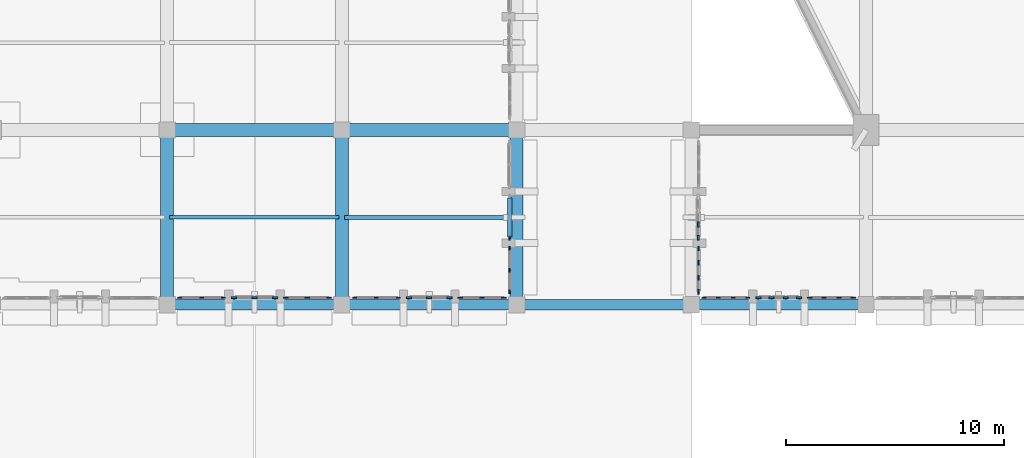
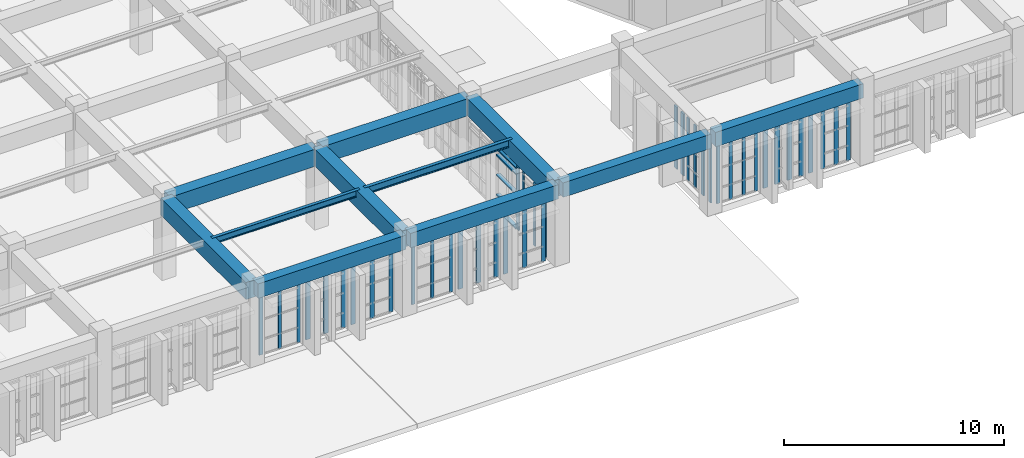
# One storey, part 11 of 155: 45 members, 11 beams, 13 elements without a shape of their own.
"""IFC4 building model written with IfcOpenShell, lengths in metres."""

from ifc_helpers import new_model, si_unit, direction, frame, origin, origin_2d, place, context, subcontext, project, spatial, rectangle, i_section, extrude, material, layer, layer_set, material_profile, profile_set, type_object, element, aggregate, save


model = new_model("IFC4")

# Units and contexts
model_context = context("Model", 3, precision=1e-05, world=origin(), true_north=direction((0.0, 1.0)))
body_context = subcontext(model_context, "Body", "Model", "MODEL_VIEW")
ifc_project = project(units=[si_unit("LENGTHUNIT", "METRE"), si_unit("AREAUNIT", "SQUARE_METRE"), si_unit("VOLUMEUNIT", "CUBIC_METRE"), si_unit("PLANEANGLEUNIT", "RADIAN"), si_unit("MASSUNIT", "GRAM", prefix="KILO")], contexts=[model_context])

# Site, building, storey
site_placement = place(None, origin())
site = spatial("IfcSite", under=ifc_project, at=site_placement, CompositionType="ELEMENT")
building_placement = place(site_placement, origin())
building = spatial("IfcBuilding", under=site, at=building_placement, Name="Tazarka Park Arena", CompositionType="ELEMENT")
storey_placement = place(building_placement, frame((0.0, 0.0, 5.39990234375)))
storey = spatial("IfcBuildingStorey", under=building, at=storey_placement, Name="L01", CompositionType="ELEMENT", Elevation=5.39990234375)

# Beams
ifc_material_1 = material(Name="Concrete C40/50", Category="concrete")
ifc_material_profile_1 = material_profile(ifc_material_1, rectangle(XDim=0.60009765625, YDim=0.949951171875, at=origin_2d()), Name="Concrete C40/50")
ifc_profile_set_1 = profile_set([ifc_material_profile_1], Name="Concrete C40/50")
beam_type_1 = type_object("IfcBeamType", Name="BM-B-03", PredefinedType="BEAM", material=ifc_profile_set_1)
for number, where, z_axis, x_axis, name in (
    (1, (32.0, 8.1201171875, 3.945068359375), (0.0, 1.0, 0.0), (-1.0, 0.0, 0.0), "GYM-L01-04-01"),
    (2, (32.1201171875, 16.0, 3.945068359375), (1.0, 0.0, 0.0), (0.0, 1.0, 0.0), "GXM-L01-04-02"),
    (3, (40.0, 8.1201171875, 3.945068359375), (0.0, 1.0, 0.0), (-1.0, 0.0, 0.0), "GYM-L01-05-01"),
    (4, (40.1201171875, 16.0, 3.945068359375), (1.0, 0.0, 0.0), (0.0, 1.0, 0.0), "GXM-L01-05-02"),
    (5, (48.0, 8.1201171875, 3.945068359375), (0.0, 1.0, 0.0), (-1.0, 0.0, 0.0), "GYM-L01-06-01"),
):
    element("IfcBeam", number, at=place(storey_placement, frame(where, z_axis=z_axis, x_axis=x_axis)), inside=storey, type_object=beam_type_1, Name=name, PredefinedType="BEAM", context=body_context, shape_type="SweptSolid", body=[
        extrude(rectangle(XDim=0.60009765625, YDim=0.949951171875, at=origin_2d()), origin(), (0.0, 0.0, 1.0), 7.759765625),
    ])
ifc_material_2 = material(Name="Steel S355", Category="steel")
ifc_material_profile_2 = material_profile(ifc_material_2, i_section(OverallWidth=0.169921875, OverallDepth=0.360107421875, WebThickness=0.008056640625, FlangeThickness=0.0126953125, FilletRadius=0.01806640625, at=origin_2d()), Name="Steel S355")
ifc_profile_set_2 = profile_set([ifc_material_profile_2], Name="Steel S355")
beam_type_2 = type_object("IfcBeamType", Name="BM-J-02", PredefinedType="JOIST", material=ifc_profile_set_2)
beam_1_placement = place(storey_placement, frame((32.1201171875, 12.0, 4.239990234375), z_axis=(1.0, 0.0, 0.0), x_axis=(0.0, 1.0, 0.0)))
element("IfcBeam", 6, at=beam_1_placement, inside=storey, type_object=beam_type_2, Name="JST-L01-04-01", PredefinedType="JOIST", context=body_context, shape_type="SweptSolid", body=[
    extrude(i_section(OverallWidth=0.169921875, OverallDepth=0.360107421875, WebThickness=0.008056640625, FlangeThickness=0.0126953125, FilletRadius=0.01806640625, at=origin_2d()), origin(), (0.0, 0.0, 1.0), 7.759765625),
])
ifc_material_3 = material(Name="Steel S355", Category="steel")
ifc_material_profile_3 = material_profile(ifc_material_3, i_section(OverallWidth=0.179931640625, OverallDepth=0.39990234375, WebThickness=0.008544921875, FlangeThickness=0.013427734375, FilletRadius=0.02099609375, at=origin_2d()), Name="Steel S355")
ifc_profile_set_3 = profile_set([ifc_material_profile_3], Name="Steel S355")
beam_type_3 = type_object("IfcBeamType", Name="BM-J-03", PredefinedType="JOIST", material=ifc_profile_set_3)
beam_2_placement = place(storey_placement, frame((40.1201171875, 12.0, 4.22021484375), z_axis=(1.0, 0.0, 0.0), x_axis=(0.0, 1.0, 0.0)))
element("IfcBeam", 7, at=beam_2_placement, inside=storey, type_object=beam_type_3, Name="JST-L01-05-01", PredefinedType="JOIST", context=body_context, shape_type="SweptSolid", body=[
    extrude(i_section(OverallWidth=0.179931640625, OverallDepth=0.39990234375, WebThickness=0.008544921875, FlangeThickness=0.013427734375, FilletRadius=0.02099609375, at=origin_2d()), origin(), (0.0, 0.0, 1.0), 7.759765625),
])
ifc_material_4 = material(Name="Concrete C40/50", Category="concrete")
ifc_material_profile_4 = material_profile(ifc_material_4, rectangle(XDim=0.5, YDim=0.800048828125, at=origin_2d()), Name="Concrete C40/50")
ifc_profile_set_4 = profile_set([ifc_material_profile_4], Name="Concrete C40/50")
beam_type_4 = type_object("IfcBeamType", Name="BM-SP-01", PredefinedType="SPANDREL", material=ifc_profile_set_4)
for number, where, z_axis, x_axis, name in (
    (8, (32.1201171875, 8.0, 4.02001953125), (1.0, 0.0, 0.0), (0.0, 1.0, 0.0), "GXM-L01-04-01"),
    (9, (40.1201171875, 8.0, 4.02001953125), (1.0, 0.0, 0.0), (0.0, 1.0, 0.0), "GXM-L01-05-01"),
    (10, (48.1201171875, 8.0, 4.02001953125), (1.0, 0.0, 0.0), (0.0, 1.0, 0.0), "GXM-L01-06-01"),
    (11, (56.1201171875, 8.0, 4.02001953125), (1.0, 0.0, 0.0), (0.0, 1.0, 0.0), "GXM-L01-07-01"),
):
    element("IfcBeam", number, at=place(storey_placement, frame(where, z_axis=z_axis, x_axis=x_axis)), inside=storey, type_object=beam_type_4, Name=name, PredefinedType="SPANDREL", context=body_context, shape_type="SweptSolid", body=[
        extrude(rectangle(XDim=0.5, YDim=0.800048828125, at=origin_2d()), origin(), (0.0, 0.0, 1.0), 7.759765625),
    ])

# Curtain wall, members
ifc_material_5 = material(Name="Aluminium and low-e glass", Category="aluminium")
ifc_layer_1 = layer(ifc_material_5, 0.179931640625, Name="Aluminium and low-e glass")
ifc_layer_set_1 = layer_set([ifc_layer_1], Name="Aluminium and low-e glass")
curtain_wall_type_1 = type_object("IfcCurtainWallType", Name="CW-06", PredefinedType="NOTDEFINED", material=ifc_layer_set_1)
curtain_wall_1_placement = place(storey_placement, origin())
curtain_wall_1 = element("IfcCurtainWall", 12, at=curtain_wall_1_placement, inside=storey, type_object=curtain_wall_type_1, Name="Curtain Wall CWA-L01-006", PredefinedType="NOTDEFINED")
ifc_material_6 = material(Name="Aluminium 6060-T66", Category="aluminium")
ifc_material_profile_5 = material_profile(ifc_material_6, rectangle(XDim=0.06494140625, YDim=0.179931640625, at=origin_2d()), Name="Aluminium 6060-T66")
ifc_profile_set_5 = profile_set([ifc_material_profile_5], Name="Aluminium 6060-T66")
member_type_1 = type_object("IfcMemberType", Name="CWM-01", PredefinedType="MULLION", material=ifc_profile_set_5)
member_1_placement = place(storey_placement, frame((58.57568359375, 8.320068359375, 0.0), z_axis=(0.0, 0.0, 1.0), x_axis=(0.0, -1.0, 0.0)))
member_1 = element("IfcMember", 13, at=member_1_placement, type_object=member_type_1, Name="CW-06 mullion 1", PredefinedType="MULLION", context=body_context, shape_type="SweptSolid", body=[
    extrude(rectangle(XDim=0.06494140625, YDim=0.179931640625, at=origin_2d()), origin(), (0.0, 0.0, 1.0), 3.60009765625),
])
member_2_placement = place(storey_placement, frame((57.923828125, 8.320068359375, 0.0), z_axis=(0.0, 0.0, 1.0), x_axis=(0.0, -1.0, 0.0)))
member_2 = element("IfcMember", 14, at=member_2_placement, type_object=member_type_1, Name="CW-06 mullion 2", PredefinedType="MULLION", context=body_context, shape_type="SweptSolid", body=[
    extrude(rectangle(XDim=0.06494140625, YDim=0.179931640625, at=origin_2d()), origin(), (0.0, 0.0, 1.0), 3.60009765625),
])
member_3_placement = place(storey_placement, frame((57.239501953125, 8.320068359375, 0.0), z_axis=(0.0, 0.0, 1.0), x_axis=(0.0, -1.0, 0.0)))
member_3 = element("IfcMember", 15, at=member_3_placement, type_object=member_type_1, Name="CW-06 mullion 3", PredefinedType="MULLION", context=body_context, shape_type="SweptSolid", body=[
    extrude(rectangle(XDim=0.06494140625, YDim=0.179931640625, at=origin_2d()), origin(), (0.0, 0.0, 1.0), 3.60009765625),
])
member_4_placement = place(storey_placement, frame((56.58740234375, 8.320068359375, 0.0), z_axis=(0.0, 0.0, 1.0), x_axis=(0.0, -1.0, 0.0)))
member_4 = element("IfcMember", 16, at=member_4_placement, type_object=member_type_1, Name="CW-06 mullion 4", PredefinedType="MULLION", context=body_context, shape_type="SweptSolid", body=[
    extrude(rectangle(XDim=0.06494140625, YDim=0.179931640625, at=origin_2d()), origin(), (0.0, 0.0, 1.0), 3.60009765625),
])
aggregate(curtain_wall_1, [member_1, member_2, member_3, member_4])

ifc_material_7 = material(Name="Aluminium and low-e glass", Category="aluminium")
ifc_layer_2 = layer(ifc_material_7, 0.179931640625, Name="Aluminium and low-e glass")
ifc_layer_set_2 = layer_set([ifc_layer_2], Name="Aluminium and low-e glass")
curtain_wall_type_2 = type_object("IfcCurtainWallType", Name="CW-24", PredefinedType="NOTDEFINED", material=ifc_layer_set_2)
curtain_wall_2_placement = place(storey_placement, origin())
curtain_wall_2 = element("IfcCurtainWall", 17, at=curtain_wall_2_placement, inside=storey, type_object=curtain_wall_type_2, Name="Curtain Wall CWA-L01-084", PredefinedType="NOTDEFINED")
member_5_placement = place(storey_placement, frame((34.57568359375, 8.320068359375, 0.0), z_axis=(0.0, 0.0, 1.0), x_axis=(0.0, -1.0, 0.0)))
member_5 = element("IfcMember", 18, at=member_5_placement, type_object=member_type_1, Name="CW-24 mullion 1", PredefinedType="MULLION", context=body_context, shape_type="SweptSolid", body=[
    extrude(rectangle(XDim=0.06494140625, YDim=0.179931640625, at=origin_2d()), origin(), (0.0, 0.0, 1.0), 3.60009765625),
])
member_6_placement = place(storey_placement, frame((33.58154296875, 8.320068359375, 0.0), z_axis=(0.0, 0.0, 1.0), x_axis=(0.0, -1.0, 0.0)))
member_6 = element("IfcMember", 19, at=member_6_placement, type_object=member_type_1, Name="CW-24 mullion 2", PredefinedType="MULLION", context=body_context, shape_type="SweptSolid", body=[
    extrude(rectangle(XDim=0.06494140625, YDim=0.179931640625, at=origin_2d()), origin(), (0.0, 0.0, 1.0), 3.60009765625),
])
member_7_placement = place(storey_placement, frame((32.58740234375, 8.320068359375, 0.0), z_axis=(0.0, 0.0, 1.0), x_axis=(0.0, -1.0, 0.0)))
member_7 = element("IfcMember", 20, at=member_7_placement, type_object=member_type_1, Name="CW-24 mullion 3", PredefinedType="MULLION", context=body_context, shape_type="SweptSolid", body=[
    extrude(rectangle(XDim=0.06494140625, YDim=0.179931640625, at=origin_2d()), origin(), (0.0, 0.0, 1.0), 3.60009765625),
])
aggregate(curtain_wall_2, [member_5, member_6, member_7])

ifc_material_8 = material(Name="Aluminium and low-e glass", Category="aluminium")
ifc_layer_3 = layer(ifc_material_8, 0.179931640625, Name="Aluminium and low-e glass")
ifc_layer_set_3 = layer_set([ifc_layer_3], Name="Aluminium and low-e glass")
curtain_wall_type_3 = type_object("IfcCurtainWallType", Name="CW-27", PredefinedType="NOTDEFINED", material=ifc_layer_set_3)
curtain_wall_3_placement = place(storey_placement, origin())
curtain_wall_3 = element("IfcCurtainWall", 21, at=curtain_wall_3_placement, inside=storey, type_object=curtain_wall_type_3, Name="Curtain Wall CWA-L01-087", PredefinedType="NOTDEFINED")
member_8_placement = place(storey_placement, frame((42.57568359375, 8.320068359375, 0.0), z_axis=(0.0, 0.0, 1.0), x_axis=(0.0, -1.0, 0.0)))
member_8 = element("IfcMember", 22, at=member_8_placement, type_object=member_type_1, Name="CW-27 mullion 1", PredefinedType="MULLION", context=body_context, shape_type="SweptSolid", body=[
    extrude(rectangle(XDim=0.06494140625, YDim=0.179931640625, at=origin_2d()), origin(), (0.0, 0.0, 1.0), 3.60009765625),
])
member_9_placement = place(storey_placement, frame((41.58154296875, 8.320068359375, 0.0), z_axis=(0.0, 0.0, 1.0), x_axis=(0.0, -1.0, 0.0)))
member_9 = element("IfcMember", 23, at=member_9_placement, type_object=member_type_1, Name="CW-27 mullion 2", PredefinedType="MULLION", context=body_context, shape_type="SweptSolid", body=[
    extrude(rectangle(XDim=0.06494140625, YDim=0.179931640625, at=origin_2d()), origin(), (0.0, 0.0, 1.0), 3.60009765625),
])
member_10_placement = place(storey_placement, frame((40.58740234375, 8.320068359375, 0.0), z_axis=(0.0, 0.0, 1.0), x_axis=(0.0, -1.0, 0.0)))
member_10 = element("IfcMember", 24, at=member_10_placement, type_object=member_type_1, Name="CW-27 mullion 3", PredefinedType="MULLION", context=body_context, shape_type="SweptSolid", body=[
    extrude(rectangle(XDim=0.06494140625, YDim=0.179931640625, at=origin_2d()), origin(), (0.0, 0.0, 1.0), 3.60009765625),
])
aggregate(curtain_wall_3, [member_8, member_9, member_10])

ifc_material_9 = material(Name="Aluminium and low-e glass", Category="aluminium")
ifc_layer_4 = layer(ifc_material_9, 0.179931640625, Name="Aluminium and low-e glass")
ifc_layer_set_4 = layer_set([ifc_layer_4], Name="Aluminium and low-e glass")
curtain_wall_type_4 = type_object("IfcCurtainWallType", Name="CW-30", PredefinedType="NOTDEFINED", material=ifc_layer_set_4)
curtain_wall_4_placement = place(storey_placement, origin())
curtain_wall_4 = element("IfcCurtainWall", 25, at=curtain_wall_4_placement, inside=storey, type_object=curtain_wall_type_4, Name="Curtain Wall CWA-L01-090", PredefinedType="NOTDEFINED")
member_11_placement = place(storey_placement, frame((47.679931640625, 10.57568359375, 0.0), z_axis=(0.0, 0.0, 1.0), x_axis=(1.0, 0.0, 0.0)))
member_11 = element("IfcMember", 26, at=member_11_placement, type_object=member_type_1, Name="CW-30 mullion 1", PredefinedType="MULLION", context=body_context, shape_type="SweptSolid", body=[
    extrude(rectangle(XDim=0.06494140625, YDim=0.179931640625, at=origin_2d()), origin(), (0.0, 0.0, 1.0), 3.4501953125),
])
member_12_placement = place(storey_placement, frame((47.679931640625, 9.58154296875, 0.0), z_axis=(0.0, 0.0, 1.0), x_axis=(1.0, 0.0, 0.0)))
member_12 = element("IfcMember", 27, at=member_12_placement, type_object=member_type_1, Name="CW-30 mullion 2", PredefinedType="MULLION", context=body_context, shape_type="SweptSolid", body=[
    extrude(rectangle(XDim=0.06494140625, YDim=0.179931640625, at=origin_2d()), origin(), (0.0, 0.0, 1.0), 3.4501953125),
])
member_13_placement = place(storey_placement, frame((47.679931640625, 8.58740234375, 0.0), z_axis=(0.0, 0.0, 1.0), x_axis=(1.0, 0.0, 0.0)))
member_13 = element("IfcMember", 28, at=member_13_placement, type_object=member_type_1, Name="CW-30 mullion 3", PredefinedType="MULLION", context=body_context, shape_type="SweptSolid", body=[
    extrude(rectangle(XDim=0.06494140625, YDim=0.179931640625, at=origin_2d()), origin(), (0.0, 0.0, 1.0), 3.4501953125),
])
aggregate(curtain_wall_4, [member_11, member_12, member_13])

ifc_material_10 = material(Name="Aluminium and low-e glass", Category="aluminium")
ifc_layer_5 = layer(ifc_material_10, 0.179931640625, Name="Aluminium and low-e glass")
ifc_layer_set_5 = layer_set([ifc_layer_5], Name="Aluminium and low-e glass")
curtain_wall_type_5 = type_object("IfcCurtainWallType", Name="CW-01", PredefinedType="NOTDEFINED", material=ifc_layer_set_5)
curtain_wall_5_placement = place(storey_placement, origin())
curtain_wall_5 = element("IfcCurtainWall", 29, at=curtain_wall_5_placement, inside=storey, type_object=curtain_wall_type_5, Name="Curtain Wall CWA-L01-001", PredefinedType="NOTDEFINED")
ifc_material_11 = material(Name="Aluminium 6060-T66", Category="aluminium")
ifc_material_profile_6 = material_profile(ifc_material_11, rectangle(XDim=0.06494140625, YDim=0.219970703125, at=origin_2d()), Name="Aluminium 6060-T66")
ifc_profile_set_6 = profile_set([ifc_material_profile_6], Name="Aluminium 6060-T66")
member_type_2 = type_object("IfcMemberType", Name="CWM-02", PredefinedType="MULLION", material=ifc_profile_set_6)
member_14_placement = place(storey_placement, frame((56.320068359375, 8.58740234375, 0.0), z_axis=(0.0, 0.0, 1.0), x_axis=(-1.0, 0.0, 0.0)))
member_14 = element("IfcMember", 30, at=member_14_placement, type_object=member_type_2, Name="CW-01 mullion 1", PredefinedType="MULLION", context=body_context, shape_type="SweptSolid", body=[
    extrude(rectangle(XDim=0.06494140625, YDim=0.219970703125, at=origin_2d()), origin(), (0.0, 0.0, 1.0), 3.4501953125),
])
member_15_placement = place(storey_placement, frame((56.320068359375, 9.239501953125, 0.0), z_axis=(0.0, 0.0, 1.0), x_axis=(-1.0, 0.0, 0.0)))
member_15 = element("IfcMember", 31, at=member_15_placement, type_object=member_type_2, Name="CW-01 mullion 2", PredefinedType="MULLION", context=body_context, shape_type="SweptSolid", body=[
    extrude(rectangle(XDim=0.06494140625, YDim=0.219970703125, at=origin_2d()), origin(), (0.0, 0.0, 1.0), 3.4501953125),
])
member_16_placement = place(storey_placement, frame((56.320068359375, 9.923828125, 0.0), z_axis=(0.0, 0.0, 1.0), x_axis=(-1.0, 0.0, 0.0)))
member_16 = element("IfcMember", 32, at=member_16_placement, type_object=member_type_2, Name="CW-01 mullion 3", PredefinedType="MULLION", context=body_context, shape_type="SweptSolid", body=[
    extrude(rectangle(XDim=0.06494140625, YDim=0.219970703125, at=origin_2d()), origin(), (0.0, 0.0, 1.0), 3.4501953125),
])
member_17_placement = place(storey_placement, frame((56.320068359375, 10.57568359375, 0.0), z_axis=(0.0, 0.0, 1.0), x_axis=(-1.0, 0.0, 0.0)))
member_17 = element("IfcMember", 33, at=member_17_placement, type_object=member_type_2, Name="CW-01 mullion 4", PredefinedType="MULLION", context=body_context, shape_type="SweptSolid", body=[
    extrude(rectangle(XDim=0.06494140625, YDim=0.219970703125, at=origin_2d()), origin(), (0.0, 0.0, 1.0), 3.4501953125),
])
aggregate(curtain_wall_5, [member_14, member_15, member_16, member_17])

ifc_material_12 = material(Name="Aluminium and low-e glass", Category="aluminium")
ifc_layer_6 = layer(ifc_material_12, 0.179931640625, Name="Aluminium and low-e glass")
ifc_layer_set_6 = layer_set([ifc_layer_6], Name="Aluminium and low-e glass")
curtain_wall_type_6 = type_object("IfcCurtainWallType", Name="CW-04", PredefinedType="NOTDEFINED", material=ifc_layer_set_6)
curtain_wall_6_placement = place(storey_placement, origin())
curtain_wall_6 = element("IfcCurtainWall", 34, at=curtain_wall_6_placement, inside=storey, type_object=curtain_wall_type_6, Name="Curtain Wall CWA-L01-004", PredefinedType="NOTDEFINED")
member_18_placement = place(storey_placement, frame((63.41259765625, 8.320068359375, 0.0), z_axis=(0.0, 0.0, 1.0), x_axis=(0.0, -1.0, 0.0)))
member_18 = element("IfcMember", 35, at=member_18_placement, type_object=member_type_2, Name="CW-04 mullion 1", PredefinedType="MULLION", context=body_context, shape_type="SweptSolid", body=[
    extrude(rectangle(XDim=0.06494140625, YDim=0.219970703125, at=origin_2d()), origin(), (0.0, 0.0, 1.0), 3.60009765625),
])
member_19_placement = place(storey_placement, frame((62.760498046875, 8.320068359375, 0.0), z_axis=(0.0, 0.0, 1.0), x_axis=(0.0, -1.0, 0.0)))
member_19 = element("IfcMember", 36, at=member_19_placement, type_object=member_type_2, Name="CW-04 mullion 2", PredefinedType="MULLION", context=body_context, shape_type="SweptSolid", body=[
    extrude(rectangle(XDim=0.06494140625, YDim=0.219970703125, at=origin_2d()), origin(), (0.0, 0.0, 1.0), 3.60009765625),
])
member_20_placement = place(storey_placement, frame((62.076171875, 8.320068359375, 0.0), z_axis=(0.0, 0.0, 1.0), x_axis=(0.0, -1.0, 0.0)))
member_20 = element("IfcMember", 37, at=member_20_placement, type_object=member_type_2, Name="CW-04 mullion 3", PredefinedType="MULLION", context=body_context, shape_type="SweptSolid", body=[
    extrude(rectangle(XDim=0.06494140625, YDim=0.219970703125, at=origin_2d()), origin(), (0.0, 0.0, 1.0), 3.60009765625),
])
member_21_placement = place(storey_placement, frame((61.42431640625, 8.320068359375, 0.0), z_axis=(0.0, 0.0, 1.0), x_axis=(0.0, -1.0, 0.0)))
member_21 = element("IfcMember", 38, at=member_21_placement, type_object=member_type_2, Name="CW-04 mullion 4", PredefinedType="MULLION", context=body_context, shape_type="SweptSolid", body=[
    extrude(rectangle(XDim=0.06494140625, YDim=0.219970703125, at=origin_2d()), origin(), (0.0, 0.0, 1.0), 3.60009765625),
])
aggregate(curtain_wall_6, [member_18, member_19, member_20, member_21])

ifc_material_13 = material(Name="Aluminium and low-e glass", Category="aluminium")
ifc_layer_7 = layer(ifc_material_13, 0.179931640625, Name="Aluminium and low-e glass")
ifc_layer_set_7 = layer_set([ifc_layer_7], Name="Aluminium and low-e glass")
curtain_wall_type_7 = type_object("IfcCurtainWallType", Name="CW-22", PredefinedType="NOTDEFINED", material=ifc_layer_set_7)
curtain_wall_7_placement = place(storey_placement, origin())
curtain_wall_7 = element("IfcCurtainWall", 39, at=curtain_wall_7_placement, inside=storey, type_object=curtain_wall_type_7, Name="Curtain Wall CWA-L01-082", PredefinedType="NOTDEFINED")
member_22_placement = place(storey_placement, frame((39.41259765625, 8.320068359375, 0.0), z_axis=(0.0, 0.0, 1.0), x_axis=(0.0, -1.0, 0.0)))
member_22 = element("IfcMember", 40, at=member_22_placement, type_object=member_type_2, Name="CW-22 mullion 1", PredefinedType="MULLION", context=body_context, shape_type="SweptSolid", body=[
    extrude(rectangle(XDim=0.06494140625, YDim=0.219970703125, at=origin_2d()), origin(), (0.0, 0.0, 1.0), 3.60009765625),
])
member_23_placement = place(storey_placement, frame((38.41845703125, 8.320068359375, 0.0), z_axis=(0.0, 0.0, 1.0), x_axis=(0.0, -1.0, 0.0)))
member_23 = element("IfcMember", 41, at=member_23_placement, type_object=member_type_2, Name="CW-22 mullion 2", PredefinedType="MULLION", context=body_context, shape_type="SweptSolid", body=[
    extrude(rectangle(XDim=0.06494140625, YDim=0.219970703125, at=origin_2d()), origin(), (0.0, 0.0, 1.0), 3.60009765625),
])
member_24_placement = place(storey_placement, frame((37.42431640625, 8.320068359375, 0.0), z_axis=(0.0, 0.0, 1.0), x_axis=(0.0, -1.0, 0.0)))
member_24 = element("IfcMember", 42, at=member_24_placement, type_object=member_type_2, Name="CW-22 mullion 3", PredefinedType="MULLION", context=body_context, shape_type="SweptSolid", body=[
    extrude(rectangle(XDim=0.06494140625, YDim=0.219970703125, at=origin_2d()), origin(), (0.0, 0.0, 1.0), 3.60009765625),
])
aggregate(curtain_wall_7, [member_22, member_23, member_24])

ifc_material_14 = material(Name="Aluminium and low-e glass", Category="aluminium")
ifc_layer_8 = layer(ifc_material_14, 0.179931640625, Name="Aluminium and low-e glass")
ifc_layer_set_8 = layer_set([ifc_layer_8], Name="Aluminium and low-e glass")
curtain_wall_type_8 = type_object("IfcCurtainWallType", Name="CW-25", PredefinedType="NOTDEFINED", material=ifc_layer_set_8)
curtain_wall_8_placement = place(storey_placement, origin())
curtain_wall_8 = element("IfcCurtainWall", 43, at=curtain_wall_8_placement, inside=storey, type_object=curtain_wall_type_8, Name="Curtain Wall CWA-L01-085", PredefinedType="NOTDEFINED")
member_25_placement = place(storey_placement, frame((47.41259765625, 8.320068359375, 0.0), z_axis=(0.0, 0.0, 1.0), x_axis=(0.0, -1.0, 0.0)))
member_25 = element("IfcMember", 44, at=member_25_placement, type_object=member_type_2, Name="CW-25 mullion 1", PredefinedType="MULLION", context=body_context, shape_type="SweptSolid", body=[
    extrude(rectangle(XDim=0.06494140625, YDim=0.219970703125, at=origin_2d()), origin(), (0.0, 0.0, 1.0), 3.60009765625),
])
member_26_placement = place(storey_placement, frame((46.41845703125, 8.320068359375, 0.0), z_axis=(0.0, 0.0, 1.0), x_axis=(0.0, -1.0, 0.0)))
member_26 = element("IfcMember", 45, at=member_26_placement, type_object=member_type_2, Name="CW-25 mullion 2", PredefinedType="MULLION", context=body_context, shape_type="SweptSolid", body=[
    extrude(rectangle(XDim=0.06494140625, YDim=0.219970703125, at=origin_2d()), origin(), (0.0, 0.0, 1.0), 3.60009765625),
])
member_27_placement = place(storey_placement, frame((45.42431640625, 8.320068359375, 0.0), z_axis=(0.0, 0.0, 1.0), x_axis=(0.0, -1.0, 0.0)))
member_27 = element("IfcMember", 46, at=member_27_placement, type_object=member_type_2, Name="CW-25 mullion 3", PredefinedType="MULLION", context=body_context, shape_type="SweptSolid", body=[
    extrude(rectangle(XDim=0.06494140625, YDim=0.219970703125, at=origin_2d()), origin(), (0.0, 0.0, 1.0), 3.60009765625),
])
aggregate(curtain_wall_8, [member_25, member_26, member_27])

ifc_material_15 = material(Name="Aluminium and low-e glass", Category="aluminium")
ifc_layer_9 = layer(ifc_material_15, 0.179931640625, Name="Aluminium and low-e glass")
ifc_layer_set_9 = layer_set([ifc_layer_9], Name="Aluminium and low-e glass")
curtain_wall_type_9 = type_object("IfcCurtainWallType", Name="CW-02", PredefinedType="NOTDEFINED", material=ifc_layer_set_9)
curtain_wall_9_placement = place(storey_placement, origin())
curtain_wall_9 = element("IfcCurtainWall", 47, at=curtain_wall_9_placement, inside=storey, type_object=curtain_wall_type_9, Name="Curtain Wall CWA-L01-002", PredefinedType="NOTDEFINED")
ifc_material_16 = material(Name="Aluminium 6060-T66", Category="aluminium")
ifc_material_profile_7 = material_profile(ifc_material_16, rectangle(XDim=0.074951171875, YDim=0.25, at=origin_2d()), Name="Aluminium 6060-T66")
ifc_profile_set_7 = profile_set([ifc_material_profile_7], Name="Aluminium 6060-T66")
member_type_3 = type_object("IfcMemberType", Name="CWM-03", PredefinedType="MULLION", material=ifc_profile_set_7)
member_28_placement = place(storey_placement, frame((56.320068359375, 11.06591796875, 0.0), z_axis=(0.0, 0.0, 1.0), x_axis=(-1.0, 0.0, 0.0)))
member_28 = element("IfcMember", 48, at=member_28_placement, type_object=member_type_3, Name="CW-02 mullion 1", PredefinedType="MULLION", context=body_context, shape_type="SweptSolid", body=[
    extrude(rectangle(XDim=0.074951171875, YDim=0.25, at=origin_2d()), origin(), (0.0, 0.0, 1.0), 3.4501953125),
])
member_29_placement = place(storey_placement, frame((56.320068359375, 11.676025390625, 0.0), z_axis=(0.0, 0.0, 1.0), x_axis=(-1.0, 0.0, 0.0)))
member_29 = element("IfcMember", 49, at=member_29_placement, type_object=member_type_3, Name="CW-02 mullion 2", PredefinedType="MULLION", context=body_context, shape_type="SweptSolid", body=[
    extrude(rectangle(XDim=0.074951171875, YDim=0.25, at=origin_2d()), origin(), (0.0, 0.0, 1.0), 3.4501953125),
])
aggregate(curtain_wall_9, [member_28, member_29])

ifc_material_17 = material(Name="Aluminium and low-e glass", Category="aluminium")
ifc_layer_10 = layer(ifc_material_17, 0.179931640625, Name="Aluminium and low-e glass")
ifc_layer_set_10 = layer_set([ifc_layer_10], Name="Aluminium and low-e glass")
curtain_wall_type_10 = type_object("IfcCurtainWallType", Name="CW-05", PredefinedType="NOTDEFINED", material=ifc_layer_set_10)
curtain_wall_10_placement = place(storey_placement, origin())
curtain_wall_10 = element("IfcCurtainWall", 50, at=curtain_wall_10_placement, inside=storey, type_object=curtain_wall_type_10, Name="Curtain Wall CWA-L01-005", PredefinedType="NOTDEFINED")
member_30_placement = place(storey_placement, frame((60.93408203125, 8.320068359375, 0.0), z_axis=(0.0, 0.0, 1.0), x_axis=(0.0, -1.0, 0.0)))
member_30 = element("IfcMember", 51, at=member_30_placement, type_object=member_type_3, Name="CW-05 mullion 1", PredefinedType="MULLION", context=body_context, shape_type="SweptSolid", body=[
    extrude(rectangle(XDim=0.074951171875, YDim=0.25, at=origin_2d()), origin(), (0.0, 0.0, 1.0), 3.60009765625),
])
member_31_placement = place(storey_placement, frame((60.323974609375, 8.320068359375, 0.0), z_axis=(0.0, 0.0, 1.0), x_axis=(0.0, -1.0, 0.0)))
member_31 = element("IfcMember", 52, at=member_31_placement, type_object=member_type_3, Name="CW-05 mullion 2", PredefinedType="MULLION", context=body_context, shape_type="SweptSolid", body=[
    extrude(rectangle(XDim=0.074951171875, YDim=0.25, at=origin_2d()), origin(), (0.0, 0.0, 1.0), 3.60009765625),
])
member_32_placement = place(storey_placement, frame((59.676025390625, 8.320068359375, 0.0), z_axis=(0.0, 0.0, 1.0), x_axis=(0.0, -1.0, 0.0)))
member_32 = element("IfcMember", 53, at=member_32_placement, type_object=member_type_3, Name="CW-05 mullion 3", PredefinedType="MULLION", context=body_context, shape_type="SweptSolid", body=[
    extrude(rectangle(XDim=0.074951171875, YDim=0.25, at=origin_2d()), origin(), (0.0, 0.0, 1.0), 3.60009765625),
])
member_33_placement = place(storey_placement, frame((59.06591796875, 8.320068359375, 0.0), z_axis=(0.0, 0.0, 1.0), x_axis=(0.0, -1.0, 0.0)))
member_33 = element("IfcMember", 54, at=member_33_placement, type_object=member_type_3, Name="CW-05 mullion 4", PredefinedType="MULLION", context=body_context, shape_type="SweptSolid", body=[
    extrude(rectangle(XDim=0.074951171875, YDim=0.25, at=origin_2d()), origin(), (0.0, 0.0, 1.0), 3.60009765625),
])
aggregate(curtain_wall_10, [member_30, member_31, member_32, member_33])

ifc_material_18 = material(Name="Aluminium and low-e glass", Category="aluminium")
ifc_layer_11 = layer(ifc_material_18, 0.179931640625, Name="Aluminium and low-e glass")
ifc_layer_set_11 = layer_set([ifc_layer_11], Name="Aluminium and low-e glass")
curtain_wall_type_11 = type_object("IfcCurtainWallType", Name="CW-23", PredefinedType="NOTDEFINED", material=ifc_layer_set_11)
curtain_wall_11_placement = place(storey_placement, origin())
curtain_wall_11 = element("IfcCurtainWall", 55, at=curtain_wall_11_placement, inside=storey, type_object=curtain_wall_type_11, Name="Curtain Wall CWA-L01-083", PredefinedType="NOTDEFINED")
member_34_placement = place(storey_placement, frame((36.93408203125, 8.320068359375, 0.0), z_axis=(0.0, 0.0, 1.0), x_axis=(0.0, -1.0, 0.0)))
member_34 = element("IfcMember", 56, at=member_34_placement, type_object=member_type_3, Name="CW-23 mullion 1", PredefinedType="MULLION", context=body_context, shape_type="SweptSolid", body=[
    extrude(rectangle(XDim=0.074951171875, YDim=0.25, at=origin_2d()), origin(), (0.0, 0.0, 1.0), 3.60009765625),
])
member_35_placement = place(storey_placement, frame((36.0, 8.320068359375, 0.0), z_axis=(0.0, 0.0, 1.0), x_axis=(0.0, -1.0, 0.0)))
member_35 = element("IfcMember", 57, at=member_35_placement, type_object=member_type_3, Name="CW-23 mullion 2", PredefinedType="MULLION", context=body_context, shape_type="SweptSolid", body=[
    extrude(rectangle(XDim=0.074951171875, YDim=0.25, at=origin_2d()), origin(), (0.0, 0.0, 1.0), 3.60009765625),
])
member_36_placement = place(storey_placement, frame((35.06591796875, 8.320068359375, 0.0), z_axis=(0.0, 0.0, 1.0), x_axis=(0.0, -1.0, 0.0)))
member_36 = element("IfcMember", 58, at=member_36_placement, type_object=member_type_3, Name="CW-23 mullion 3", PredefinedType="MULLION", context=body_context, shape_type="SweptSolid", body=[
    extrude(rectangle(XDim=0.074951171875, YDim=0.25, at=origin_2d()), origin(), (0.0, 0.0, 1.0), 3.60009765625),
])
aggregate(curtain_wall_11, [member_34, member_35, member_36])

ifc_material_19 = material(Name="Aluminium and low-e glass", Category="aluminium")
ifc_layer_12 = layer(ifc_material_19, 0.179931640625, Name="Aluminium and low-e glass")
ifc_layer_set_12 = layer_set([ifc_layer_12], Name="Aluminium and low-e glass")
curtain_wall_type_12 = type_object("IfcCurtainWallType", Name="CW-26", PredefinedType="NOTDEFINED", material=ifc_layer_set_12)
curtain_wall_12_placement = place(storey_placement, origin())
curtain_wall_12 = element("IfcCurtainWall", 59, at=curtain_wall_12_placement, inside=storey, type_object=curtain_wall_type_12, Name="Curtain Wall CWA-L01-086", PredefinedType="NOTDEFINED")
member_37_placement = place(storey_placement, frame((44.93408203125, 8.320068359375, 0.0), z_axis=(0.0, 0.0, 1.0), x_axis=(0.0, -1.0, 0.0)))
member_37 = element("IfcMember", 60, at=member_37_placement, type_object=member_type_3, Name="CW-26 mullion 1", PredefinedType="MULLION", context=body_context, shape_type="SweptSolid", body=[
    extrude(rectangle(XDim=0.074951171875, YDim=0.25, at=origin_2d()), origin(), (0.0, 0.0, 1.0), 3.60009765625),
])
member_38_placement = place(storey_placement, frame((44.0, 8.320068359375, 0.0), z_axis=(0.0, 0.0, 1.0), x_axis=(0.0, -1.0, 0.0)))
member_38 = element("IfcMember", 61, at=member_38_placement, type_object=member_type_3, Name="CW-26 mullion 2", PredefinedType="MULLION", context=body_context, shape_type="SweptSolid", body=[
    extrude(rectangle(XDim=0.074951171875, YDim=0.25, at=origin_2d()), origin(), (0.0, 0.0, 1.0), 3.60009765625),
])
member_39_placement = place(storey_placement, frame((43.06591796875, 8.320068359375, 0.0), z_axis=(0.0, 0.0, 1.0), x_axis=(0.0, -1.0, 0.0)))
member_39 = element("IfcMember", 62, at=member_39_placement, type_object=member_type_3, Name="CW-26 mullion 3", PredefinedType="MULLION", context=body_context, shape_type="SweptSolid", body=[
    extrude(rectangle(XDim=0.074951171875, YDim=0.25, at=origin_2d()), origin(), (0.0, 0.0, 1.0), 3.60009765625),
])
aggregate(curtain_wall_12, [member_37, member_38, member_39])

ifc_material_20 = material(Name="Aluminium and low-e glass", Category="aluminium")
ifc_layer_13 = layer(ifc_material_20, 0.179931640625, Name="Aluminium and low-e glass")
ifc_layer_set_13 = layer_set([ifc_layer_13], Name="Aluminium and low-e glass")
curtain_wall_type_13 = type_object("IfcCurtainWallType", Name="CW-29", PredefinedType="NOTDEFINED", material=ifc_layer_set_13)
curtain_wall_13_placement = place(storey_placement, origin())
curtain_wall_13 = element("IfcCurtainWall", 63, at=curtain_wall_13_placement, inside=storey, type_object=curtain_wall_type_13, Name="Curtain Wall CWA-L01-089", PredefinedType="NOTDEFINED")
member_40_placement = place(storey_placement, frame((47.679931640625, 11.06591796875, 0.0), z_axis=(0.0, 0.0, 1.0), x_axis=(1.0, 0.0, 0.0)))
member_40 = element("IfcMember", 64, at=member_40_placement, type_object=member_type_3, Name="CW-29 mullion 2", PredefinedType="MULLION", context=body_context, shape_type="SweptSolid", body=[
    extrude(rectangle(XDim=0.074951171875, YDim=0.25, at=origin_2d()), origin(), (0.0, 0.0, 1.0), 3.4501953125),
])
ifc_material_21 = material(Name="Aluminium 6060-T66", Category="aluminium")
ifc_material_profile_8 = material_profile(ifc_material_21, rectangle(XDim=0.2099609375, YDim=0.074951171875, at=origin_2d()), Name="Aluminium 6060-T66")
ifc_profile_set_8 = profile_set([ifc_material_profile_8], Name="Aluminium 6060-T66")
member_type_4 = type_object("IfcMemberType", Name="CWT-03", PredefinedType="USERDEFINED", material=ifc_profile_set_8)
member_41_placement = place(storey_placement, frame((47.679931640625, 12.896728515625, 0.03759765625), z_axis=(0.0, -1.0, 0.0), x_axis=(1.0, 0.0, 0.0)))
member_41 = element("IfcMember", 65, at=member_41_placement, type_object=member_type_4, Name="CW-29 transom 1.1", ObjectType="TRANSOM", PredefinedType="USERDEFINED", context=body_context, shape_type="SweptSolid", body=[
    extrude(rectangle(XDim=0.2099609375, YDim=0.074951171875, at=origin_2d()), origin(), (0.0, 0.0, 1.0), 1.79345703125),
])
member_42_placement = place(storey_placement, frame((47.679931640625, 12.896728515625, 0.85009765625), z_axis=(0.0, -1.0, 0.0), x_axis=(1.0, 0.0, 0.0)))
member_42 = element("IfcMember", 66, at=member_42_placement, type_object=member_type_4, Name="CW-29 transom 1.2", ObjectType="TRANSOM", PredefinedType="USERDEFINED", context=body_context, shape_type="SweptSolid", body=[
    extrude(rectangle(XDim=0.2099609375, YDim=0.074951171875, at=origin_2d()), origin(), (0.0, 0.0, 1.0), 1.79345703125),
])
member_43_placement = place(storey_placement, frame((47.679931640625, 12.896728515625, 1.9501953125), z_axis=(0.0, -1.0, 0.0), x_axis=(1.0, 0.0, 0.0)))
member_43 = element("IfcMember", 67, at=member_43_placement, type_object=member_type_4, Name="CW-29 transom 1.3", ObjectType="TRANSOM", PredefinedType="USERDEFINED", context=body_context, shape_type="SweptSolid", body=[
    extrude(rectangle(XDim=0.2099609375, YDim=0.074951171875, at=origin_2d()), origin(), (0.0, 0.0, 1.0), 1.79345703125),
])
member_44_placement = place(storey_placement, frame((47.679931640625, 12.896728515625, 3.050048828125), z_axis=(0.0, -1.0, 0.0), x_axis=(1.0, 0.0, 0.0)))
member_44 = element("IfcMember", 68, at=member_44_placement, type_object=member_type_4, Name="CW-29 transom 1.4", ObjectType="TRANSOM", PredefinedType="USERDEFINED", context=body_context, shape_type="SweptSolid", body=[
    extrude(rectangle(XDim=0.2099609375, YDim=0.074951171875, at=origin_2d()), origin(), (0.0, 0.0, 1.0), 1.79345703125),
])
member_45_placement = place(storey_placement, frame((47.679931640625, 12.896728515625, 3.41259765625), z_axis=(0.0, -1.0, 0.0), x_axis=(1.0, 0.0, 0.0)))
member_45 = element("IfcMember", 69, at=member_45_placement, type_object=member_type_4, Name="CW-29 transom 1.5", ObjectType="TRANSOM", PredefinedType="USERDEFINED", context=body_context, shape_type="SweptSolid", body=[
    extrude(rectangle(XDim=0.2099609375, YDim=0.074951171875, at=origin_2d()), origin(), (0.0, 0.0, 1.0), 1.79345703125),
])
aggregate(curtain_wall_13, [member_40, member_41, member_42, member_43, member_44, member_45])

save(model, "model.ifc")
